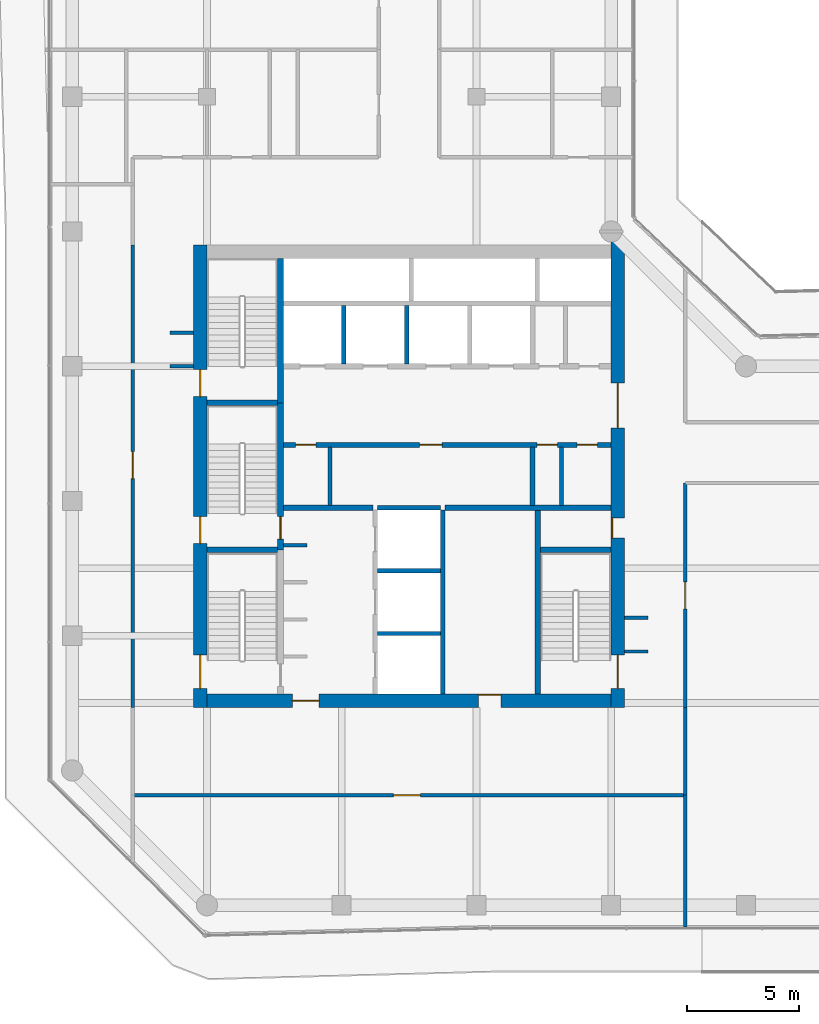
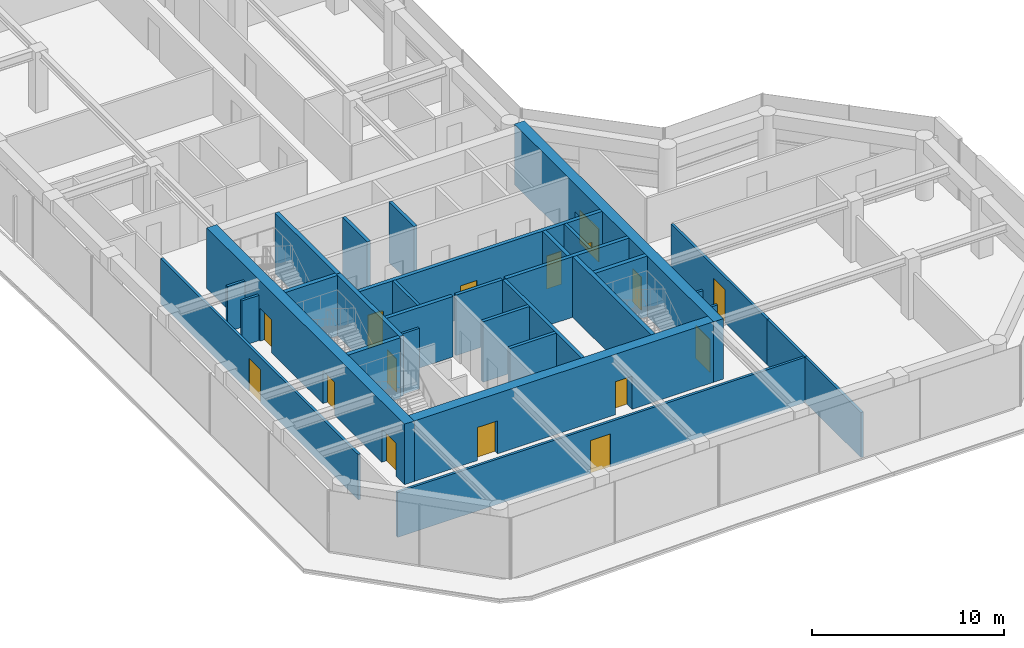
# One storey, part 16 of 20: 31 walls, 16 doors, 16 openings.
"""IFC4 building model written with IfcOpenShell, lengths in metres."""

from ifc_helpers import new_model, si_unit, direction, frame, frame_2d, origin, place, context, subcontext, project, spatial, rectangle, extrude, material, layer, layer_set, type_object, element, fill, save


model = new_model("IFC4")

# Units and contexts
model_context = context("Model", 3, precision=1e-05, world=origin(), true_north=direction((0.0, 1.0)))
body_context = subcontext(model_context, "Body", "Model", "MODEL_VIEW")
ifc_project = project(units=[si_unit("LENGTHUNIT", "METRE"), si_unit("AREAUNIT", "SQUARE_METRE"), si_unit("VOLUMEUNIT", "CUBIC_METRE"), si_unit("PLANEANGLEUNIT", "RADIAN"), si_unit("MASSUNIT", "GRAM", prefix="KILO")], contexts=[model_context])

# Site, building, storey
site_placement = place(None, origin())
site = spatial("IfcSite", under=ifc_project, at=site_placement, CompositionType="ELEMENT")
building_placement = place(site_placement, origin())
building = spatial("IfcBuilding", under=site, at=building_placement, Name="Welwitschia Terrace Campus", CompositionType="ELEMENT")
storey_placement = place(building_placement, frame((0.0, 0.0, 176.0)))
storey = spatial("IfcBuildingStorey", under=building, at=storey_placement, Name="L39", CompositionType="ELEMENT", Elevation=176.0)

# Walls
ifc_material_1 = material(Name="Concrete C32/40", Category="concrete")
ifc_layer_1 = layer(ifc_material_1, 0.175048828125)
ifc_layer_set_1 = layer_set([ifc_layer_1], Name="Concrete C32/40")
wall_type_1 = type_object("IfcWallType", Name="Core partition 175 Concrete C32/40", PredefinedType="PARTITIONING", material=ifc_layer_set_1)
for number, where, z_axis, x_axis, name in (
    (1, (11.47509765625, 13.800048828125, 0.0), (0.0, 0.0, 1.0), (0.0, 1.0, 0.0), "Core partition"),
    (2, (21.7900390625, 13.800048828125, 0.0), (0.0, 0.0, 1.0), (0.0, 1.0, 0.0), "Core partition"),
):
    element("IfcWall", number, at=place(storey_placement, frame(where, z_axis=z_axis, x_axis=x_axis)), inside=storey, type_object=wall_type_1, Name=name, PredefinedType="PARTITIONING", context=body_context, shape_type="SweptSolid", body=[
        extrude(rectangle(XDim=2.599853515625, YDim=0.175048828125, at=frame_2d((1.2998046875, 0.0))), origin(), (0.0, 0.0, 1.0), 3.85009765625),
    ])
ifc_material_2 = material(Name="Concrete C32/40", Category="concrete")
ifc_layer_2 = layer(ifc_material_2, 0.22509765625)
ifc_layer_set_2 = layer_set([ifc_layer_2], Name="Concrete C32/40")
wall_type_2 = type_object("IfcWallType", Name="Core partition 225 Concrete C32/40", PredefinedType="PARTITIONING", material=ifc_layer_set_2)
wall_1_placement = place(storey_placement, frame((9.39990234375, 13.699951171875, 0.0), z_axis=(0.0, 0.0, 1.0), x_axis=(1.0, 0.0, 0.0)))
element("IfcWall", 3, at=wall_1_placement, inside=storey, type_object=wall_type_2, Name="Core partition", PredefinedType="PARTITIONING", context=body_context, shape_type="SweptSolid", body=[
    extrude(rectangle(XDim=4.0, YDim=0.22509765625, at=frame_2d((2.0, 0.0))), origin(), (0.0, 0.0, 1.0), 3.85009765625),
])
wall_2_placement = place(storey_placement, frame((16.60009765625, 13.699951171875, 0.0), z_axis=(0.0, 0.0, 1.0), x_axis=(1.0, 0.0, 0.0)))
element("IfcWall", 4, at=wall_2_placement, inside=storey, type_object=wall_type_2, Name="Core partition", PredefinedType="PARTITIONING", context=body_context, shape_type="SweptSolid", body=[
    extrude(rectangle(XDim=7.39990234375, YDim=0.22509765625, at=frame_2d((3.699951171875, 0.0))), origin(), (0.0, 0.0, 1.0), 3.85009765625),
])

# Wall, openings, doors
wall_3_placement = place(storey_placement, frame((9.39990234375, 16.5, 0.0), z_axis=(0.0, 0.0, 1.0), x_axis=(1.0, 0.0, 0.0)))
wall_3 = element("IfcWall", 5, at=wall_3_placement, inside=storey, type_object=wall_type_2, Name="Core partition", PredefinedType="PARTITIONING", context=body_context, shape_type="SweptSolid", body=[
    extrude(rectangle(XDim=14.60009765625, YDim=0.22509765625, at=frame_2d((7.300048828125, 0.0))), origin(), (0.0, 0.0, 1.0), 3.85009765625),
])
opening_1_placement = place(wall_3_placement, frame((0.550048828125, 0.0, 0.0)))
opening_1 = element("IfcOpeningElement", 6, at=opening_1_placement, cuts=wall_3, Name="Opening DR09", PredefinedType="OPENING", context=body_context, shape_type="SweptSolid", body=[
    extrude(rectangle(XDim=0.89990234375, YDim=2.10009765625, at=frame_2d((0.449951171875, 1.050048828125))), frame((0.0, 0.12255859375, 0.0), z_axis=(0.0, -1.0, 0.0), x_axis=(1.0, 0.0, 0.0)), (0.0, 0.0, 1.0), 0.2451171875),
])
opening_2_placement = place(wall_3_placement, frame((6.074951171875, 0.0, 0.0)))
opening_2 = element("IfcOpeningElement", 7, at=opening_2_placement, cuts=wall_3, Name="Opening DR10", PredefinedType="OPENING", context=body_context, shape_type="SweptSolid", body=[
    extrude(rectangle(XDim=1.0, YDim=2.10009765625, at=frame_2d((0.5, 1.050048828125))), frame((0.0, 0.12255859375, 0.0), z_axis=(0.0, -1.0, 0.0), x_axis=(1.0, 0.0, 0.0)), (0.0, 0.0, 1.0), 0.2451171875),
])
opening_3_placement = place(wall_3_placement, frame((11.3076171875, 0.0, 0.0)))
opening_3 = element("IfcOpeningElement", 8, at=opening_3_placement, cuts=wall_3, Name="Opening DR09", PredefinedType="OPENING", context=body_context, shape_type="SweptSolid", body=[
    extrude(rectangle(XDim=0.89990234375, YDim=2.10009765625, at=frame_2d((0.449951171875, 1.050048828125))), frame((0.0, 0.12255859375, 0.0), z_axis=(0.0, -1.0, 0.0), x_axis=(1.0, 0.0, 0.0)), (0.0, 0.0, 1.0), 0.2451171875),
])
opening_4_placement = place(wall_3_placement, frame((13.08251953125, 0.0, 0.0)))
opening_4 = element("IfcOpeningElement", 9, at=opening_4_placement, cuts=wall_3, Name="Opening DR09", PredefinedType="OPENING", context=body_context, shape_type="SweptSolid", body=[
    extrude(rectangle(XDim=0.89990234375, YDim=2.10009765625, at=frame_2d((0.449951171875, 1.050048828125))), frame((0.0, 0.12255859375, 0.0), z_axis=(0.0, -1.0, 0.0), x_axis=(1.0, 0.0, 0.0)), (0.0, 0.0, 1.0), 0.2451171875),
])
ifc_material_3 = material(Name="Steel S275", Category="steel")
door_type_1 = type_object("IfcDoorType", Name="Core door DR09", OperationType="SINGLE_SWING_LEFT", PredefinedType="DOOR", material=ifc_material_3)
door_1_placement = place(opening_1_placement, origin())
door_1 = element("IfcDoor", 10, at=door_1_placement, inside=storey, type_object=door_type_1, Name="Door BAYL1-D", OperationType="SINGLE_SWING_LEFT", OverallHeight=2.10009765625, OverallWidth=0.89990234375, PredefinedType="DOOR", context=body_context, shape_type="SweptSolid", body=[
    extrude(rectangle(XDim=0.89990234375, YDim=2.10009765625, at=frame_2d((0.449951171875, 1.050048828125))), frame((0.0, 0.02490234375, 0.0), z_axis=(0.0, -1.0, 0.0), x_axis=(1.0, 0.0, 0.0)), (0.0, 0.0, 1.0), 0.050048828125),
])
fill(opening_1, door_1)
door_2_placement = place(opening_3_placement, origin())
door_2 = element("IfcDoor", 11, at=door_2_placement, inside=storey, type_object=door_type_1, Name="Door EL1-D", OperationType="SINGLE_SWING_RIGHT", OverallHeight=2.10009765625, OverallWidth=0.89990234375, PredefinedType="DOOR", context=body_context, shape_type="SweptSolid", body=[
    extrude(rectangle(XDim=0.89990234375, YDim=2.10009765625, at=frame_2d((0.449951171875, 1.050048828125))), frame((0.0, 0.02490234375, 0.0), z_axis=(0.0, -1.0, 0.0), x_axis=(1.0, 0.0, 0.0)), (0.0, 0.0, 1.0), 0.050048828125),
])
fill(opening_3, door_2)
door_3_placement = place(opening_4_placement, origin())
door_3 = element("IfcDoor", 12, at=door_3_placement, inside=storey, type_object=door_type_1, Name="Door EL2-D", OperationType="SINGLE_SWING_RIGHT", OverallHeight=2.10009765625, OverallWidth=0.89990234375, PredefinedType="DOOR", context=body_context, shape_type="SweptSolid", body=[
    extrude(rectangle(XDim=0.89990234375, YDim=2.10009765625, at=frame_2d((0.449951171875, 1.050048828125))), frame((0.0, 0.02490234375, 0.0), z_axis=(0.0, -1.0, 0.0), x_axis=(1.0, 0.0, 0.0)), (0.0, 0.0, 1.0), 0.050048828125),
])
fill(opening_4, door_3)
ifc_material_4 = material(Name="Steel S275", Category="steel")
door_type_2 = type_object("IfcDoorType", Name="Core door DR10", OperationType="SINGLE_SWING_LEFT", PredefinedType="DOOR", material=ifc_material_4)
door_4_placement = place(opening_2_placement, origin())
door_4 = element("IfcDoor", 13, at=door_4_placement, inside=storey, type_object=door_type_2, Name="Door BAYL2-D", OperationType="SINGLE_SWING_LEFT", OverallHeight=2.10009765625, OverallWidth=1.0, PredefinedType="DOOR", context=body_context, shape_type="SweptSolid", body=[
    extrude(rectangle(XDim=1.0, YDim=2.10009765625, at=frame_2d((0.5, 1.050048828125))), frame((0.0, 0.02490234375, 0.0), z_axis=(0.0, -1.0, 0.0), x_axis=(1.0, 0.0, 0.0)), (0.0, 0.0, 1.0), 0.050048828125),
])
fill(opening_2, door_4)

# Walls
wall_4_placement = place(storey_placement, frame((20.5, 13.800048828125, 0.0), z_axis=(0.0, 0.0, 1.0), x_axis=(0.0, 1.0, 0.0)))
element("IfcWall", 14, at=wall_4_placement, inside=storey, type_object=wall_type_2, Name="Core partition", PredefinedType="PARTITIONING", context=body_context, shape_type="SweptSolid", body=[
    extrude(rectangle(XDim=2.599853515625, YDim=0.22509765625, at=frame_2d((1.2998046875, 0.0))), origin(), (0.0, 0.0, 1.0), 3.85009765625),
])
ifc_material_5 = material(Name="Concrete C50/60", Category="concrete")
ifc_layer_3 = layer(ifc_material_5, 0.14990234375)
ifc_layer_set_3 = layer_set([ifc_layer_3], Name="Concrete C50/60")
wall_type_3 = type_object("IfcWallType", Name="Core wall 150 Concrete C50/60", PredefinedType="SHEAR", material=ifc_layer_set_3)
wall_5_placement = place(storey_placement, frame((9.39990234375, 12.02490234375, 0.0), z_axis=(0.0, 0.0, 1.0), x_axis=(1.0, 0.0, 0.0)))
element("IfcWall", 15, at=wall_5_placement, inside=storey, type_object=wall_type_3, Name="Core wall", PredefinedType="SHEAR", context=body_context, shape_type="SweptSolid", body=[
    extrude(rectangle(XDim=1.050048828125, YDim=0.14990234375, at=frame_2d((0.52490234375, 0.0))), origin(), (0.0, 0.0, 1.0), 3.85009765625),
])
ifc_material_6 = material(Name="Concrete C50/60", Category="concrete")
ifc_layer_4 = layer(ifc_material_6, 0.199951171875)
ifc_layer_set_4 = layer_set([ifc_layer_4], Name="Concrete C50/60")
wall_type_4 = type_object("IfcWallType", Name="Core wall 200 Concrete C50/60", PredefinedType="SHEAR", material=ifc_layer_set_4)
for number, where, z_axis, x_axis, name in (
    (16, (13.60009765625, 8.10009765625, 0.0), (0.0, 0.0, 1.0), (1.0, 0.0, 0.0), "Core wall"),
    (17, (13.60009765625, 10.89990234375, 0.0), (0.0, 0.0, 1.0), (1.0, 0.0, 0.0), "Core wall"),
    (18, (13.60009765625, 13.699951171875, 0.0), (0.0, 0.0, 1.0), (1.0, 0.0, 0.0), "Core wall"),
):
    element("IfcWall", number, at=place(storey_placement, frame(where, z_axis=z_axis, x_axis=x_axis)), inside=storey, type_object=wall_type_4, Name=name, PredefinedType="SHEAR", context=body_context, shape_type="SweptSolid", body=[
        extrude(rectangle(XDim=2.7998046875, YDim=0.199951171875, at=frame_2d((1.39990234375, 0.0))), origin(), (0.0, 0.0, 1.0), 3.85009765625),
    ])
wall_6_placement = place(storey_placement, frame((16.5, 5.39990234375, 0.0), z_axis=(0.0, 0.0, 1.0), x_axis=(0.0, 1.0, 0.0)))
element("IfcWall", 19, at=wall_6_placement, inside=storey, type_object=wall_type_4, Name="Core wall", PredefinedType="SHEAR", context=body_context, shape_type="SweptSolid", body=[
    extrude(rectangle(XDim=8.2001953125, YDim=0.199951171875, at=frame_2d((4.10009765625, 0.0))), origin(), (0.0, 0.0, 1.0), 3.85009765625),
])
ifc_material_7 = material(Name="Concrete C50/60", Category="concrete")
ifc_layer_5 = layer(ifc_material_7, 0.25)
ifc_layer_set_5 = layer_set([ifc_layer_5], Name="Concrete C50/60")
wall_type_5 = type_object("IfcWallType", Name="Core wall 250 Concrete C50/60", PredefinedType="SHEAR", material=ifc_layer_set_5)
for number, where, z_axis, x_axis, name in (
    (20, (6.0, 11.824951171875, 0.0), (0.0, 0.0, 1.0), (1.0, 0.0, 0.0), "Core wall"),
    (21, (20.85009765625, 11.824951171875, 0.0), (0.0, 0.0, 1.0), (1.0, 0.0, 0.0), "Core wall"),
    (22, (6.0, 18.375, 0.0), (0.0, 0.0, 1.0), (1.0, 0.0, 0.0), "Core wall"),
):
    element("IfcWall", number, at=place(storey_placement, frame(where, z_axis=z_axis, x_axis=x_axis)), inside=storey, type_object=wall_type_5, Name=name, PredefinedType="SHEAR", context=body_context, shape_type="SweptSolid", body=[
        extrude(rectangle(XDim=3.14990234375, YDim=0.25, at=frame_2d((1.574951171875, 0.0))), origin(), (0.0, 0.0, 1.0), 3.85009765625),
    ])

# Wall, opening, door
wall_7_placement = place(storey_placement, frame((9.27490234375, 18.375, 0.0), z_axis=(0.0, 0.0, 1.0), x_axis=(0.0, -1.0, 0.0)))
wall_7 = element("IfcWall", 23, at=wall_7_placement, inside=storey, type_object=wall_type_5, Name="Core wall", PredefinedType="SHEAR", context=body_context, shape_type="SweptSolid", body=[
    extrude(rectangle(XDim=6.550048828125, YDim=0.25, at=frame_2d((3.27490234375, 0.0))), origin(), (0.0, 0.0, 1.0), 3.85009765625),
])
opening_5_placement = place(wall_7_placement, frame((5.074951171875, 0.0, 0.0)))
opening_5 = element("IfcOpeningElement", 24, at=opening_5_placement, cuts=wall_7, Name="Opening DS10", PredefinedType="OPENING", context=body_context, shape_type="SweptSolid", body=[
    extrude(rectangle(XDim=1.0, YDim=2.10009765625, at=frame_2d((0.5, 1.050048828125))), frame((0.0, 0.135009765625, 0.0), z_axis=(0.0, -1.0, 0.0), x_axis=(1.0, 0.0, 0.0)), (0.0, 0.0, 1.0), 0.27001953125),
])
ifc_material_8 = material(Name="Steel S275", Category="steel")
door_type_3 = type_object("IfcDoorType", Name="Core door DS10", OperationType="SINGLE_SWING_LEFT", PredefinedType="DOOR", material=ifc_material_8)
door_5_placement = place(opening_5_placement, origin())
door_5 = element("IfcDoor", 25, at=door_5_placement, inside=storey, type_object=door_type_3, Name="Door S3-FL", OperationType="SINGLE_SWING_RIGHT", OverallHeight=2.10009765625, OverallWidth=1.0, PredefinedType="DOOR", context=body_context, shape_type="SweptSolid", body=[
    extrude(rectangle(XDim=1.0, YDim=2.10009765625, at=frame_2d((0.5, 1.050048828125))), frame((0.0, 0.02490234375, 0.0), z_axis=(0.0, -1.0, 0.0), x_axis=(1.0, 0.0, 0.0)), (0.0, 0.0, 1.0), 0.050048828125),
])
fill(opening_5, door_5)

# Walls
wall_8_placement = place(storey_placement, frame((9.27490234375, 18.375, 0.0), z_axis=(0.0, 0.0, 1.0), x_axis=(0.0, 1.0, 0.0)))
element("IfcWall", 26, at=wall_8_placement, inside=storey, type_object=wall_type_5, Name="Core wall", PredefinedType="SHEAR", context=body_context, shape_type="SweptSolid", body=[
    extrude(rectangle(XDim=6.425048828125, YDim=0.25, at=frame_2d((3.21240234375, 0.0))), origin(), (0.0, 0.0, 1.0), 3.85009765625),
])
wall_9_placement = place(storey_placement, frame((20.72509765625, 5.39990234375, 0.0), z_axis=(0.0, 0.0, 1.0), x_axis=(0.0, 1.0, 0.0)))
element("IfcWall", 27, at=wall_9_placement, inside=storey, type_object=wall_type_5, Name="Core wall", PredefinedType="SHEAR", context=body_context, shape_type="SweptSolid", body=[
    extrude(rectangle(XDim=8.2001953125, YDim=0.25, at=frame_2d((4.10009765625, 0.0))), origin(), (0.0, 0.0, 1.0), 3.85009765625),
])

# Wall, openings, doors
ifc_material_9 = material(Name="Concrete C60/75", Category="concrete")
ifc_layer_6 = layer(ifc_material_9, 0.60009765625)
ifc_layer_set_6 = layer_set([ifc_layer_6], Name="Concrete C60/75")
wall_type_6 = type_object("IfcWallType", Name="Core wall 600 Concrete C60/75", PredefinedType="SHEAR", material=ifc_layer_set_6)
wall_10_placement = place(storey_placement, frame((5.699951171875, 4.800048828125, 0.0), z_axis=(0.0, 0.0, 1.0), x_axis=(0.0, 1.0, 0.0)))
wall_10 = element("IfcWall", 28, at=wall_10_placement, inside=storey, type_object=wall_type_6, Name="Core outer wall", PredefinedType="SHEAR", context=body_context, shape_type="SweptSolid", body=[
    extrude(rectangle(XDim=20.599853515625, YDim=0.60009765625, at=frame_2d((10.2998046875, 0.0))), origin(), (0.0, 0.0, 1.0), 3.85009765625),
])
opening_6_placement = place(wall_10_placement, frame((0.85009765625, 0.0, 0.0)))
opening_6 = element("IfcOpeningElement", 29, at=opening_6_placement, cuts=wall_10, Name="Opening DS15", PredefinedType="OPENING", context=body_context, shape_type="SweptSolid", body=[
    extrude(rectangle(XDim=1.5, YDim=2.10009765625, at=frame_2d((0.75, 1.050048828125))), frame((0.0, 0.31005859375, 0.0), z_axis=(0.0, -1.0, 0.0), x_axis=(1.0, 0.0, 0.0)), (0.0, 0.0, 1.0), 0.6201171875),
])
opening_7_placement = place(wall_10_placement, frame((7.300048828125, 0.0, 0.0)))
opening_7 = element("IfcOpeningElement", 30, at=opening_7_placement, cuts=wall_10, Name="Opening DS12", PredefinedType="OPENING", context=body_context, shape_type="SweptSolid", body=[
    extrude(rectangle(XDim=1.199951171875, YDim=2.10009765625, at=frame_2d((0.60009765625, 1.050048828125))), frame((0.0, 0.31005859375, 0.0), z_axis=(0.0, -1.0, 0.0), x_axis=(1.0, 0.0, 0.0)), (0.0, 0.0, 1.0), 0.6201171875),
])
opening_8_placement = place(wall_10_placement, frame((13.85009765625, 0.0, 0.0)))
opening_8 = element("IfcOpeningElement", 31, at=opening_8_placement, cuts=wall_10, Name="Opening DS12", PredefinedType="OPENING", context=body_context, shape_type="SweptSolid", body=[
    extrude(rectangle(XDim=1.199951171875, YDim=2.10009765625, at=frame_2d((0.60009765625, 1.050048828125))), frame((0.0, 0.31005859375, 0.0), z_axis=(0.0, -1.0, 0.0), x_axis=(1.0, 0.0, 0.0)), (0.0, 0.0, 1.0), 0.6201171875),
])
ifc_material_10 = material(Name="Steel S275", Category="steel")
door_type_4 = type_object("IfcDoorType", Name="Core door DS12", OperationType="SINGLE_SWING_LEFT", PredefinedType="DOOR", material=ifc_material_10)
door_6_placement = place(opening_7_placement, origin())
door_6 = element("IfcDoor", 32, at=door_6_placement, inside=storey, type_object=door_type_4, Name="Door S3-out", OperationType="SINGLE_SWING_LEFT", OverallHeight=2.10009765625, OverallWidth=1.199951171875, PredefinedType="DOOR", context=body_context, shape_type="SweptSolid", body=[
    extrude(rectangle(XDim=1.199951171875, YDim=2.10009765625, at=frame_2d((0.60009765625, 1.050048828125))), frame((0.0, 0.02490234375, 0.0), z_axis=(0.0, -1.0, 0.0), x_axis=(1.0, 0.0, 0.0)), (0.0, 0.0, 1.0), 0.050048828125),
])
fill(opening_7, door_6)
door_7_placement = place(opening_8_placement, origin())
door_7 = element("IfcDoor", 33, at=door_7_placement, inside=storey, type_object=door_type_4, Name="Door S4-out", OperationType="SINGLE_SWING_RIGHT", OverallHeight=2.10009765625, OverallWidth=1.199951171875, PredefinedType="DOOR", context=body_context, shape_type="SweptSolid", body=[
    extrude(rectangle(XDim=1.199951171875, YDim=2.10009765625, at=frame_2d((0.60009765625, 1.050048828125))), frame((0.0, 0.02490234375, 0.0), z_axis=(0.0, -1.0, 0.0), x_axis=(1.0, 0.0, 0.0)), (0.0, 0.0, 1.0), 0.050048828125),
])
fill(opening_8, door_7)
ifc_material_11 = material(Name="Steel S275", Category="steel")
door_type_5 = type_object("IfcDoorType", Name="Core door DS15", OperationType="DOUBLE_DOOR_SINGLE_SWING", PredefinedType="DOOR", material=ifc_material_11)
door_8_placement = place(opening_6_placement, origin())
door_8 = element("IfcDoor", 34, at=door_8_placement, inside=storey, type_object=door_type_5, Name="Door S1-out", OperationType="DOUBLE_DOOR_SINGLE_SWING", OverallHeight=2.10009765625, OverallWidth=1.5, PredefinedType="DOOR", context=body_context, shape_type="SweptSolid", body=[
    extrude(rectangle(XDim=1.5, YDim=2.10009765625, at=frame_2d((0.75, 1.050048828125))), frame((0.0, 0.02490234375, 0.0), z_axis=(0.0, -1.0, 0.0), x_axis=(1.0, 0.0, 0.0)), (0.0, 0.0, 1.0), 0.050048828125),
])
fill(opening_6, door_8)

wall_11_placement = place(storey_placement, frame((24.300048828125, 25.554931640625, 0.0), z_axis=(0.0, 0.0, 1.0), x_axis=(0.0, -1.0, 0.0)))
wall_11 = element("IfcWall", 35, at=wall_11_placement, inside=storey, type_object=wall_type_6, Name="Core outer wall", PredefinedType="SHEAR", context=body_context, shape_type="SweptSolid", body=[
    extrude(rectangle(XDim=20.7548828125, YDim=0.60009765625, at=frame_2d((10.37744140625, 0.0))), origin(), (0.0, 0.0, 1.0), 3.85009765625),
])
opening_9_placement = place(wall_11_placement, frame((18.405029296875, 0.0, 0.0)))
opening_9 = element("IfcOpeningElement", 36, at=opening_9_placement, cuts=wall_11, Name="Opening DS15", PredefinedType="OPENING", context=body_context, shape_type="SweptSolid", body=[
    extrude(rectangle(XDim=1.5, YDim=2.10009765625, at=frame_2d((0.75, 1.050048828125))), frame((0.0, 0.31005859375, 0.0), z_axis=(0.0, -1.0, 0.0), x_axis=(1.0, 0.0, 0.0)), (0.0, 0.0, 1.0), 0.6201171875),
])
opening_10_placement = place(wall_11_placement, frame((12.304931640625, 0.0, 0.0)))
opening_10 = element("IfcOpeningElement", 37, at=opening_10_placement, cuts=wall_11, Name="Opening DR09", PredefinedType="OPENING", context=body_context, shape_type="SweptSolid", body=[
    extrude(rectangle(XDim=0.89990234375, YDim=2.10009765625, at=frame_2d((0.449951171875, 1.050048828125))), frame((0.0, 0.31005859375, 0.0), z_axis=(0.0, -1.0, 0.0), x_axis=(1.0, 0.0, 0.0)), (0.0, 0.0, 1.0), 0.6201171875),
])
opening_11_placement = place(wall_11_placement, frame((6.304931640625, 0.0, 0.0)))
opening_11 = element("IfcOpeningElement", 38, at=opening_11_placement, cuts=wall_11, Name="Opening DL20", PredefinedType="OPENING", context=body_context, shape_type="SweptSolid", body=[
    extrude(rectangle(XDim=2.0, YDim=2.10009765625, at=frame_2d((1.0, 1.050048828125))), frame((0.0, 0.31005859375, 0.0), z_axis=(0.0, -1.0, 0.0), x_axis=(1.0, 0.0, 0.0)), (0.0, 0.0, 1.0), 0.6201171875),
])
ifc_material_12 = material(Name="Steel S275", Category="steel")
door_type_6 = type_object("IfcDoorType", Name="Core door DL20", OperationType="DOUBLE_DOOR_SINGLE_SWING", PredefinedType="DOOR", material=ifc_material_12)
door_9_placement = place(opening_11_placement, origin())
door_9 = element("IfcDoor", 39, at=door_9_placement, inside=storey, type_object=door_type_6, Name="Door LOBBY-out", OperationType="DOUBLE_DOOR_SINGLE_SWING", OverallHeight=2.10009765625, OverallWidth=2.0, PredefinedType="DOOR", context=body_context, shape_type="SweptSolid", body=[
    extrude(rectangle(XDim=2.0, YDim=2.10009765625, at=frame_2d((1.0, 1.050048828125))), frame((0.0, 0.02490234375, 0.0), z_axis=(0.0, -1.0, 0.0), x_axis=(1.0, 0.0, 0.0)), (0.0, 0.0, 1.0), 0.050048828125),
])
fill(opening_11, door_9)
door_10_placement = place(opening_10_placement, origin())
door_10 = element("IfcDoor", 40, at=door_10_placement, inside=storey, type_object=door_type_1, Name="Door F1B-out", OperationType="SINGLE_SWING_RIGHT", OverallHeight=2.10009765625, OverallWidth=0.89990234375, PredefinedType="DOOR", context=body_context, shape_type="SweptSolid", body=[
    extrude(rectangle(XDim=0.89990234375, YDim=2.10009765625, at=frame_2d((0.449951171875, 1.050048828125))), frame((0.0, -0.23974609375, 0.0), z_axis=(0.0, -1.0, 0.0), x_axis=(1.0, 0.0, 0.0)), (0.0, 0.0, 1.0), 0.050048828125),
])
fill(opening_10, door_10)
door_11_placement = place(opening_9_placement, origin())
door_11 = element("IfcDoor", 41, at=door_11_placement, inside=storey, type_object=door_type_5, Name="Door S2-out", OperationType="DOUBLE_DOOR_SINGLE_SWING", OverallHeight=2.10009765625, OverallWidth=1.5, PredefinedType="DOOR", context=body_context, shape_type="SweptSolid", body=[
    extrude(rectangle(XDim=1.5, YDim=2.10009765625, at=frame_2d((0.75, 1.050048828125))), frame((0.0, 0.02490234375, 0.0), z_axis=(0.0, -1.0, 0.0), x_axis=(1.0, 0.0, 0.0)), (0.0, 0.0, 1.0), 0.050048828125),
])
fill(opening_9, door_11)

wall_12_placement = place(storey_placement, frame((24.0, 5.10009765625, 0.0), z_axis=(0.0, 0.0, 1.0), x_axis=(-1.0, 0.0, 0.0)))
wall_12 = element("IfcWall", 42, at=wall_12_placement, inside=storey, type_object=wall_type_6, Name="Core outer wall", PredefinedType="SHEAR", context=body_context, shape_type="SweptSolid", body=[
    extrude(rectangle(XDim=18.0, YDim=0.60009765625, at=frame_2d((9.0, 0.0))), origin(), (0.0, 0.0, 1.0), 3.85009765625),
])
opening_12_placement = place(wall_12_placement, frame((13.0, 0.0, 0.0)))
opening_12 = element("IfcOpeningElement", 43, at=opening_12_placement, cuts=wall_12, Name="Opening DF12", PredefinedType="OPENING", context=body_context, shape_type="SweptSolid", body=[
    extrude(rectangle(XDim=1.199951171875, YDim=2.10009765625, at=frame_2d((0.60009765625, 1.050048828125))), frame((0.0, 0.31005859375, 0.0), z_axis=(0.0, -1.0, 0.0), x_axis=(1.0, 0.0, 0.0)), (0.0, 0.0, 1.0), 0.6201171875),
])
opening_13_placement = place(wall_12_placement, frame((4.89990234375, 0.0, 0.0)))
opening_13 = element("IfcOpeningElement", 44, at=opening_13_placement, cuts=wall_12, Name="Opening DR10", PredefinedType="OPENING", context=body_context, shape_type="SweptSolid", body=[
    extrude(rectangle(XDim=1.0, YDim=2.10009765625, at=frame_2d((0.5, 1.050048828125))), frame((0.0, 0.31005859375, 0.0), z_axis=(0.0, -1.0, 0.0), x_axis=(1.0, 0.0, 0.0)), (0.0, 0.0, 1.0), 0.6201171875),
])
ifc_material_13 = material(Name="Steel S275", Category="steel")
door_type_7 = type_object("IfcDoorType", Name="Core door DF12", OperationType="SINGLE_SWING_LEFT", PredefinedType="DOOR", material=ifc_material_13)
door_12_placement = place(opening_12_placement, origin())
door_12 = element("IfcDoor", 45, at=door_12_placement, inside=storey, type_object=door_type_7, Name="Door FL-out", OperationType="SINGLE_SWING_RIGHT", OverallHeight=2.10009765625, OverallWidth=1.199951171875, PredefinedType="DOOR", context=body_context, shape_type="SweptSolid", body=[
    extrude(rectangle(XDim=1.199951171875, YDim=2.10009765625, at=frame_2d((0.60009765625, 1.050048828125))), frame((0.0, 0.02490234375, 0.0), z_axis=(0.0, -1.0, 0.0), x_axis=(1.0, 0.0, 0.0)), (0.0, 0.0, 1.0), 0.050048828125),
])
fill(opening_12, door_12)
door_13_placement = place(opening_13_placement, origin())
door_13 = element("IfcDoor", 46, at=door_13_placement, inside=storey, type_object=door_type_2, Name="Door F1-out", OperationType="SINGLE_SWING_LEFT", OverallHeight=2.10009765625, OverallWidth=1.0, PredefinedType="DOOR", context=body_context, shape_type="SweptSolid", body=[
    extrude(rectangle(XDim=1.0, YDim=2.10009765625, at=frame_2d((0.5, 1.050048828125))), frame((0.0, -0.23974609375, 0.0), z_axis=(0.0, -1.0, 0.0), x_axis=(1.0, 0.0, 0.0)), (0.0, 0.0, 1.0), 0.050048828125),
])
fill(opening_13, door_13)

# Wall, opening, door
ifc_material_14 = material(Name="Gypsum board on steel studs", Category="steel")
ifc_layer_7 = layer(ifc_material_14, 0.14990234375)
ifc_layer_set_7 = layer_set([ifc_layer_7], Name="Gypsum board on steel studs")
wall_type_7 = type_object("IfcWallType", Name="Corridor partition 150 EI 30", PredefinedType="PARTITIONING", material=ifc_layer_set_7)
wall_13_placement = place(storey_placement, frame((2.699951171875, 4.800048828125, 0.0), z_axis=(0.0, 0.0, 1.0), x_axis=(0.0, 1.0, 0.0)))
wall_13 = element("IfcWall", 47, at=wall_13_placement, inside=storey, type_object=wall_type_7, Name="Partition", PredefinedType="PARTITIONING", context=body_context, shape_type="SweptSolid", body=[
    extrude(rectangle(XDim=20.599853515625, YDim=0.14990234375, at=frame_2d((10.2998046875, 0.0))), origin(), (0.0, 0.0, 1.0), 2.8798828125),
])
opening_14_placement = place(wall_13_placement, frame((10.199951171875, 0.0, 0.0)))
opening_14 = element("IfcOpeningElement", 48, at=opening_14_placement, cuts=wall_13, Name="Opening DI12", PredefinedType="OPENING", context=body_context, shape_type="SweptSolid", body=[
    extrude(rectangle(XDim=1.199951171875, YDim=2.10009765625, at=frame_2d((0.60009765625, 1.050048828125))), frame((0.0, 0.0849609375, 0.0), z_axis=(0.0, -1.0, 0.0), x_axis=(1.0, 0.0, 0.0)), (0.0, 0.0, 1.0), 0.169921875),
])
ifc_material_15 = material(Name="Timber veneered door", Category="wood")
door_type_8 = type_object("IfcDoorType", Name="Interior door DI12", OperationType="NOTDEFINED", PredefinedType="DOOR", material=ifc_material_15)
door_14_placement = place(opening_14_placement, origin())
door_14 = element("IfcDoor", 49, at=door_14_placement, inside=storey, type_object=door_type_8, Name="Door L39 775", OperationType="SINGLE_SWING_RIGHT", OverallHeight=2.10009765625, OverallWidth=1.199951171875, PredefinedType="DOOR", context=body_context, shape_type="SweptSolid", body=[
    extrude(rectangle(XDim=1.199951171875, YDim=2.10009765625, at=frame_2d((0.60009765625, 1.050048828125))), frame((0.0, 0.02490234375, 0.0), z_axis=(0.0, -1.0, 0.0), x_axis=(1.0, 0.0, 0.0)), (0.0, 0.0, 1.0), 0.050048828125),
])
fill(opening_14, door_14)

# Walls
for number, where, z_axis, x_axis, name in (
    (50, (4.35009765625, 20.0, 0.0), (0.0, 0.0, 1.0), (1.0, 0.0, 0.0), "Partition"),
    (51, (4.35009765625, 21.5, 0.0), (0.0, 0.0, 1.0), (1.0, 0.0, 0.0), "Partition"),
    (52, (24.60009765625, 7.300048828125, 0.0), (0.0, 0.0, 1.0), (1.0, 0.0, 0.0), "Partition"),
    (53, (24.60009765625, 8.800048828125, 0.0), (0.0, 0.0, 1.0), (1.0, 0.0, 0.0), "Partition"),
):
    element("IfcWall", number, at=place(storey_placement, frame(where, z_axis=z_axis, x_axis=x_axis)), inside=storey, type_object=wall_type_7, Name=name, PredefinedType="PARTITIONING", context=body_context, shape_type="SweptSolid", body=[
        extrude(rectangle(XDim=1.0498046875, YDim=0.14990234375, at=frame_2d((0.52490234375, 0.0))), origin(), (0.0, 0.0, 1.0), 2.8798828125),
    ])
wall_14_placement = place(storey_placement, frame((27.300048828125, -4.97998046875, 0.0), z_axis=(0.0, 0.0, 1.0), x_axis=(0.0, 1.0, 0.0)))
element("IfcWall", 54, at=wall_14_placement, inside=storey, type_object=wall_type_7, Name="Partition", PredefinedType="PARTITIONING", context=body_context, shape_type="SweptSolid", body=[
    extrude(rectangle(XDim=5.8798828125, YDim=0.14990234375, at=frame_2d((2.93994140625, 0.0))), origin(), (0.0, 0.0, 1.0), 2.8798828125),
])

# Wall, opening, door
wall_15_placement = place(storey_placement, frame((27.300048828125, 0.89990234375, 0.0), z_axis=(0.0, 0.0, 1.0), x_axis=(-1.0, 0.0, 0.0)))
wall_15 = element("IfcWall", 55, at=wall_15_placement, inside=storey, type_object=wall_type_7, Name="Partition", PredefinedType="PARTITIONING", context=body_context, shape_type="SweptSolid", body=[
    extrude(rectangle(XDim=24.60009765625, YDim=0.14990234375, at=frame_2d((12.300048828125, 0.0))), origin(), (0.0, 0.0, 1.0), 2.8798828125),
])
opening_15_placement = place(wall_15_placement, frame((11.800048828125, 0.0, 0.0)))
opening_15 = element("IfcOpeningElement", 56, at=opening_15_placement, cuts=wall_15, Name="Opening DI12", PredefinedType="OPENING", context=body_context, shape_type="SweptSolid", body=[
    extrude(rectangle(XDim=1.199951171875, YDim=2.10009765625, at=frame_2d((0.60009765625, 1.050048828125))), frame((0.0, 0.0849609375, 0.0), z_axis=(0.0, -1.0, 0.0), x_axis=(1.0, 0.0, 0.0)), (0.0, 0.0, 1.0), 0.169921875),
])
door_15_placement = place(opening_15_placement, origin())
door_15 = element("IfcDoor", 57, at=door_15_placement, inside=storey, type_object=door_type_8, Name="Door L39 788", OperationType="SINGLE_SWING_LEFT", OverallHeight=2.10009765625, OverallWidth=1.199951171875, PredefinedType="DOOR", context=body_context, shape_type="SweptSolid", body=[
    extrude(rectangle(XDim=1.199951171875, YDim=2.10009765625, at=frame_2d((0.60009765625, 1.050048828125))), frame((0.0, 0.02490234375, 0.0), z_axis=(0.0, -1.0, 0.0), x_axis=(1.0, 0.0, 0.0)), (0.0, 0.0, 1.0), 0.050048828125),
])
fill(opening_15, door_15)

# Wall
wall_16_placement = place(storey_placement, frame((27.300048828125, 0.89990234375, 0.0), z_axis=(0.0, 0.0, 1.0), x_axis=(0.0, 1.0, 0.0)))
element("IfcWall", 58, at=wall_16_placement, inside=storey, type_object=wall_type_7, Name="Partition", PredefinedType="PARTITIONING", context=body_context, shape_type="SweptSolid", body=[
    extrude(rectangle(XDim=3.900146484375, YDim=0.14990234375, at=frame_2d((1.9501953125, 0.0))), origin(), (0.0, 0.0, 1.0), 2.8798828125),
])

# Wall, opening, door
wall_17_placement = place(storey_placement, frame((27.300048828125, 4.800048828125, 0.0), z_axis=(0.0, 0.0, 1.0), x_axis=(0.0, 1.0, 0.0)))
wall_17 = element("IfcWall", 59, at=wall_17_placement, inside=storey, type_object=wall_type_7, Name="Partition", PredefinedType="PARTITIONING", context=body_context, shape_type="SweptSolid", body=[
    extrude(rectangle(XDim=10.0, YDim=0.14990234375, at=frame_2d((5.0, 0.0))), origin(), (0.0, 0.0, 1.0), 2.8798828125),
])
opening_16_placement = place(wall_17_placement, frame((4.39990234375, 0.0, 0.0)))
opening_16 = element("IfcOpeningElement", 60, at=opening_16_placement, cuts=wall_17, Name="Opening DI12", PredefinedType="OPENING", context=body_context, shape_type="SweptSolid", body=[
    extrude(rectangle(XDim=1.199951171875, YDim=2.10009765625, at=frame_2d((0.60009765625, 1.050048828125))), frame((0.0, 0.0849609375, 0.0), z_axis=(0.0, -1.0, 0.0), x_axis=(1.0, 0.0, 0.0)), (0.0, 0.0, 1.0), 0.169921875),
])
door_16_placement = place(opening_16_placement, origin())
door_16 = element("IfcDoor", 61, at=door_16_placement, inside=storey, type_object=door_type_8, Name="Door L39 789", OperationType="SINGLE_SWING_RIGHT", OverallHeight=2.10009765625, OverallWidth=1.199951171875, PredefinedType="DOOR", context=body_context, shape_type="SweptSolid", body=[
    extrude(rectangle(XDim=1.199951171875, YDim=2.10009765625, at=frame_2d((0.60009765625, 1.050048828125))), frame((0.0, 0.02490234375, 0.0), z_axis=(0.0, -1.0, 0.0), x_axis=(1.0, 0.0, 0.0)), (0.0, 0.0, 1.0), 0.050048828125),
])
fill(opening_16, door_16)

# Walls
ifc_material_16 = material(Name="Concrete C32/40", Category="concrete")
ifc_layer_8 = layer(ifc_material_16, 0.199951171875)
ifc_layer_set_8 = layer_set([ifc_layer_8], Name="Concrete C32/40")
wall_type_8 = type_object("IfcWallType", Name="Shaft wall 200 Concrete C32/40", PredefinedType="SOLIDWALL", material=ifc_layer_set_8)
for number, where, z_axis, x_axis, name in (
    (62, (12.10009765625, 20.10009765625, 0.0), (0.0, 0.0, 1.0), (0.0, 1.0, 0.0), "Shaft wall"),
    (63, (14.89990234375, 20.10009765625, 0.0), (0.0, 0.0, 1.0), (0.0, 1.0, 0.0), "Shaft wall"),
):
    element("IfcWall", number, at=place(storey_placement, frame(where, z_axis=z_axis, x_axis=x_axis)), inside=storey, type_object=wall_type_8, Name=name, PredefinedType="SOLIDWALL", context=body_context, shape_type="SweptSolid", body=[
        extrude(rectangle(XDim=2.599853515625, YDim=0.199951171875, at=frame_2d((1.2998046875, 0.0))), origin(), (0.0, 0.0, 1.0), 3.85009765625),
    ])

save(model, "model.ifc")
